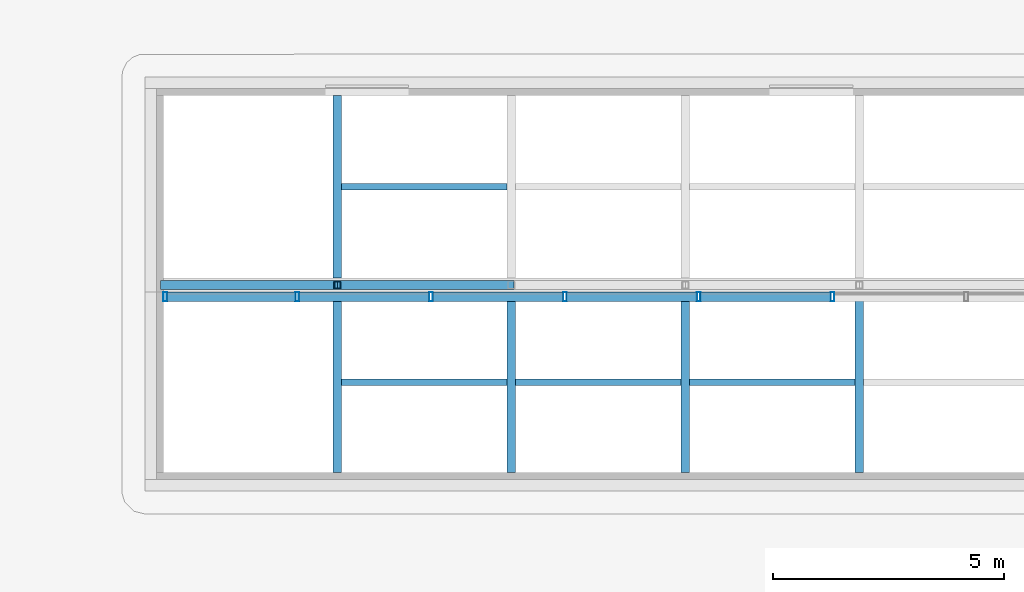
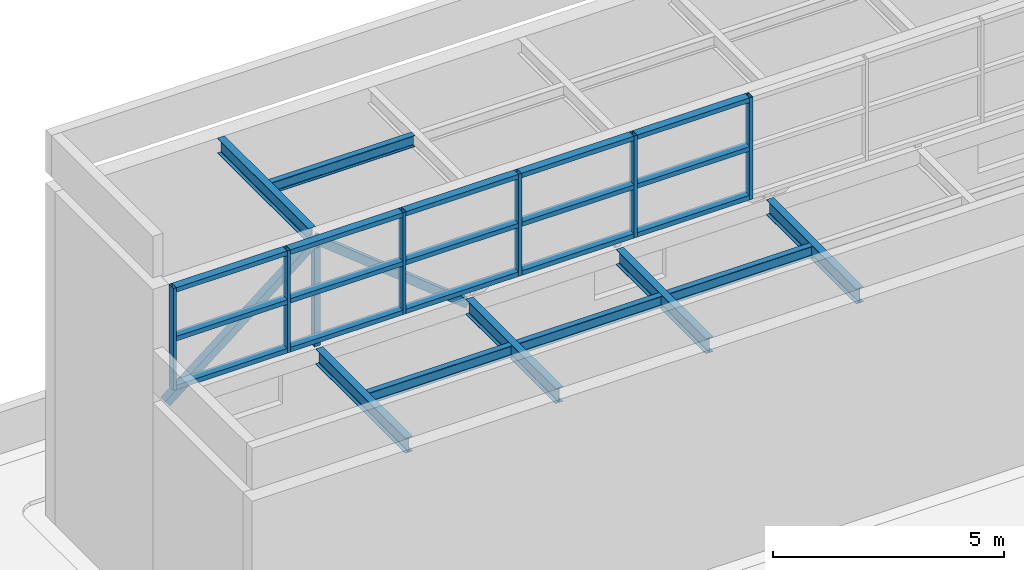
# One storey, part 50 of 72: 28 members, 5 beams, 1 element without a shape of its own.
"""IFC4 building model written with IfcOpenShell, lengths in metres."""

from ifc_helpers import new_model, si_unit, direction, frame, origin, origin_2d, place, context, subcontext, project, spatial, hollow_rectangle, i_section, extrude, material, layer, layer_set, material_profile, profile_set, type_object, element, aggregate, save


model = new_model("IFC4")

# Units and contexts
model_context = context("Model", 3, precision=1e-05, world=origin(), true_north=direction((0.0, 1.0)))
body_context = subcontext(model_context, "Body", "Model", "MODEL_VIEW")
ifc_project = project(units=[si_unit("LENGTHUNIT", "METRE"), si_unit("AREAUNIT", "SQUARE_METRE"), si_unit("VOLUMEUNIT", "CUBIC_METRE"), si_unit("PLANEANGLEUNIT", "RADIAN"), si_unit("MASSUNIT", "GRAM", prefix="KILO")], contexts=[model_context])

# Site, building, storey
site_placement = place(None, origin())
site = spatial("IfcSite", under=ifc_project, at=site_placement, CompositionType="ELEMENT")
building_placement = place(site_placement, origin())
building = spatial("IfcBuilding", under=site, at=building_placement, Name="Nzadi Deep Aquarium and Research Tower", CompositionType="ELEMENT")
storey_placement = place(building_placement, frame((0.0, 0.0, 31.89990234375)))
storey = spatial("IfcBuildingStorey", under=building, at=storey_placement, Name="L05", CompositionType="ELEMENT", Elevation=31.89990234375)

# Members
ifc_material_1 = material(Name="Steel S355", Category="steel")
ifc_material_profile_1 = material_profile(ifc_material_1, i_section(OverallWidth=0.14990234375, OverallDepth=0.300048828125, WebThickness=0.007080078125, FlangeThickness=0.0107421875, FilletRadius=0.014892578125, at=origin_2d()))
ifc_profile_set_1 = profile_set([ifc_material_profile_1], Name="Steel S355")
member_type_1 = type_object("IfcMemberType", Name="IPE 300", PredefinedType="PURLIN", material=ifc_profile_set_1)
for number, where, z_axis, x_axis, name in (
    (1, (13.85009765625, 133.949951171875, 5.650146484375), (1.0, 0.0, 0.0), (0.0, 1.0, 0.0), "MB-HL-ROOF-SPU-1"),
    (2, (17.610107421875, 133.949951171875, 5.650146484375), (1.0, 0.0, 0.0), (0.0, 1.0, 0.0), "MB-HL-ROOF-SPU-2"),
    (3, (21.3701171875, 133.949951171875, 5.650146484375), (1.0, 0.0, 0.0), (0.0, 1.0, 0.0), "MB-HL-ROOF-SPU-3"),
    (4, (13.85009765625, 138.175048828125, 8.650146484375), (1.0, 0.0, 0.0), (0.0, 1.0, 0.0), "MB-HL-ROOF-NPU-1"),
):
    element("IfcMember", number, at=place(storey_placement, frame(where, z_axis=z_axis, x_axis=x_axis)), inside=storey, type_object=member_type_1, Name=name, PredefinedType="PURLIN", context=body_context, shape_type="SweptSolid", body=[
        extrude(i_section(OverallWidth=0.14990234375, OverallDepth=0.300048828125, WebThickness=0.007080078125, FlangeThickness=0.0107421875, FilletRadius=0.014892578125, at=origin_2d()), origin(), (0.0, 0.0, 1.0), 3.579833984375),
    ])

# Beams
ifc_material_2 = material(Name="Steel S355", Category="steel")
ifc_material_profile_2 = material_profile(ifc_material_2, i_section(OverallWidth=0.179931640625, OverallDepth=0.39990234375, WebThickness=0.008544921875, FlangeThickness=0.013427734375, FilletRadius=0.02099609375, at=origin_2d()))
ifc_profile_set_2 = profile_set([ifc_material_profile_2], Name="Steel S355")
beam_type = type_object("IfcBeamType", Name="IPE 400", PredefinedType="BEAM", material=ifc_profile_set_2)
beam_1_placement = place(storey_placement, frame((13.760009765625, 132.0, 5.60009765625), z_axis=(0.0, 1.0, 0.0), x_axis=(-1.0, 0.0, 0.0)))
element("IfcBeam", 5, at=beam_1_placement, inside=storey, type_object=beam_type, Name="B-HL-ROOF-G1", PredefinedType="BEAM", context=body_context, shape_type="SweptSolid", body=[
    extrude(i_section(OverallWidth=0.179931640625, OverallDepth=0.39990234375, WebThickness=0.008544921875, FlangeThickness=0.013427734375, FilletRadius=0.02099609375, at=origin_2d()), origin(), (0.0, 0.0, 1.0), 3.89990234375),
])
beam_2_placement = place(storey_placement, frame((13.760009765625, 136.199951171875, 8.60009765625), z_axis=(0.0, 1.0, 0.0), x_axis=(-1.0, 0.0, 0.0)))
element("IfcBeam", 6, at=beam_2_placement, inside=storey, type_object=beam_type, Name="B-HL-ROOF-H1", PredefinedType="BEAM", context=body_context, shape_type="SweptSolid", body=[
    extrude(i_section(OverallWidth=0.179931640625, OverallDepth=0.39990234375, WebThickness=0.008544921875, FlangeThickness=0.013427734375, FilletRadius=0.02099609375, at=origin_2d()), origin(), (0.0, 0.0, 1.0), 3.949951171875),
])
for number, where, z_axis, x_axis, name in (
    (7, (17.52001953125, 132.0, 5.60009765625), (0.0, 1.0, 0.0), (-1.0, 0.0, 0.0), "B-HL-ROOF-G2"),
    (8, (21.280029296875, 132.0, 5.60009765625), (0.0, 1.0, 0.0), (-1.0, 0.0, 0.0), "B-HL-ROOF-G3"),
    (9, (25.0400390625, 132.0, 5.60009765625), (0.0, 1.0, 0.0), (-1.0, 0.0, 0.0), "B-HL-ROOF-G4"),
):
    element("IfcBeam", number, at=place(storey_placement, frame(where, z_axis=z_axis, x_axis=x_axis)), inside=storey, type_object=beam_type, Name=name, PredefinedType="BEAM", context=body_context, shape_type="SweptSolid", body=[
        extrude(i_section(OverallWidth=0.179931640625, OverallDepth=0.39990234375, WebThickness=0.008544921875, FlangeThickness=0.013427734375, FilletRadius=0.02099609375, at=origin_2d()), origin(), (0.0, 0.0, 1.0), 3.89990234375),
    ])

# Curtain wall, members
ifc_material_3 = material(Name="Aluminium glazing frame tall", Category="aluminium")
ifc_layer = layer(ifc_material_3, 0.199951171875)
ifc_layer_set = layer_set([ifc_layer], Name="Aluminium glazing frame tall")
curtain_wall_type = type_object("IfcCurtainWallType", Name="Curtain wall Clerestory Tall 200", PredefinedType="NOTDEFINED", material=ifc_layer_set)
curtain_wall_placement = place(storey_placement, origin())
curtain_wall = element("IfcCurtainWall", 10, at=curtain_wall_placement, inside=storey, type_object=curtain_wall_type, Name="Events hall clerestory glazing", PredefinedType="NOTDEFINED")
ifc_material_4 = material(Name="Aluminium glazing frame tall", Category="aluminium")
ifc_material_profile_3 = material_profile(ifc_material_4, hollow_rectangle(XDim=0.199951171875, YDim=0.080078125, WallThickness=0.0048828125, at=origin_2d()))
ifc_profile_set_3 = profile_set([ifc_material_profile_3], Name="Aluminium glazing frame tall")
member_type_2 = type_object("IfcMemberType", Name="Mullion 80x200 Clerestory Tall", PredefinedType="MULLION", material=ifc_profile_set_3)
member_1_placement = place(storey_placement, frame((10.0400390625, 135.800048828125, 6.10009765625), z_axis=(0.0, 0.0, 1.0), x_axis=(0.0, 1.0, 0.0)))
member_1 = element("IfcMember", 11, at=member_1_placement, type_object=member_type_2, Name="CW259 mullion 1", PredefinedType="MULLION", context=body_context, shape_type="SweptSolid", body=[
    extrude(hollow_rectangle(XDim=0.199951171875, YDim=0.080078125, WallThickness=0.0048828125, at=origin_2d()), origin(), (0.0, 0.0, 1.0), 2.699951171875),
])
member_2_placement = place(storey_placement, frame((12.892333984375, 135.800048828125, 6.10009765625), z_axis=(0.0, 0.0, 1.0), x_axis=(0.0, 1.0, 0.0)))
member_2 = element("IfcMember", 12, at=member_2_placement, type_object=member_type_2, Name="CW259 mullion 2", PredefinedType="MULLION", context=body_context, shape_type="SweptSolid", body=[
    extrude(hollow_rectangle(XDim=0.199951171875, YDim=0.080078125, WallThickness=0.0048828125, at=origin_2d()), origin(), (0.0, 0.0, 1.0), 2.699951171875),
])
member_3_placement = place(storey_placement, frame((15.78466796875, 135.800048828125, 6.10009765625), z_axis=(0.0, 0.0, 1.0), x_axis=(0.0, 1.0, 0.0)))
member_3 = element("IfcMember", 13, at=member_3_placement, type_object=member_type_2, Name="CW259 mullion 3", PredefinedType="MULLION", context=body_context, shape_type="SweptSolid", body=[
    extrude(hollow_rectangle(XDim=0.199951171875, YDim=0.080078125, WallThickness=0.0048828125, at=origin_2d()), origin(), (0.0, 0.0, 1.0), 2.699951171875),
])
member_4_placement = place(storey_placement, frame((18.677001953125, 135.800048828125, 6.10009765625), z_axis=(0.0, 0.0, 1.0), x_axis=(0.0, 1.0, 0.0)))
member_4 = element("IfcMember", 14, at=member_4_placement, type_object=member_type_2, Name="CW259 mullion 4", PredefinedType="MULLION", context=body_context, shape_type="SweptSolid", body=[
    extrude(hollow_rectangle(XDim=0.199951171875, YDim=0.080078125, WallThickness=0.0048828125, at=origin_2d()), origin(), (0.0, 0.0, 1.0), 2.699951171875),
])
member_5_placement = place(storey_placement, frame((21.5693359375, 135.800048828125, 6.10009765625), z_axis=(0.0, 0.0, 1.0), x_axis=(0.0, 1.0, 0.0)))
member_5 = element("IfcMember", 15, at=member_5_placement, type_object=member_type_2, Name="CW259 mullion 5", PredefinedType="MULLION", context=body_context, shape_type="SweptSolid", body=[
    extrude(hollow_rectangle(XDim=0.199951171875, YDim=0.080078125, WallThickness=0.0048828125, at=origin_2d()), origin(), (0.0, 0.0, 1.0), 2.699951171875),
])
member_6_placement = place(storey_placement, frame((24.46142578125, 135.800048828125, 6.10009765625), z_axis=(0.0, 0.0, 1.0), x_axis=(0.0, 1.0, 0.0)))
member_6 = element("IfcMember", 16, at=member_6_placement, type_object=member_type_2, Name="CW259 mullion 6", PredefinedType="MULLION", context=body_context, shape_type="SweptSolid", body=[
    extrude(hollow_rectangle(XDim=0.199951171875, YDim=0.080078125, WallThickness=0.0048828125, at=origin_2d()), origin(), (0.0, 0.0, 1.0), 2.699951171875),
])

# Members
ifc_material_5 = material(Name="Steel S355", Category="steel")
ifc_material_profile_4 = material_profile(ifc_material_5, hollow_rectangle(XDim=0.14990234375, YDim=0.14990234375, WallThickness=0.008056640625, at=origin_2d()))
ifc_profile_set_4 = profile_set([ifc_material_profile_4], Name="Steel S355")
member_type_3 = type_object("IfcMemberType", Name="RHS 150x150x8 post", PredefinedType="POST", material=ifc_profile_set_4)
member_7_placement = place(storey_placement, frame((13.760009765625, 136.050048828125, 5.800048828125), z_axis=(0.0, 0.0, 1.0), x_axis=(1.0, 0.0, 0.0)))
element("IfcMember", 17, at=member_7_placement, inside=storey, type_object=member_type_3, Name="MB-HL-STEP-V1", PredefinedType="POST", context=body_context, shape_type="SweptSolid", body=[
    extrude(hollow_rectangle(XDim=0.14990234375, YDim=0.14990234375, WallThickness=0.008056640625, at=origin_2d()), origin(), (0.0, 0.0, 1.0), 2.60009765625),
])
ifc_material_6 = material(Name="Steel S355", Category="steel")
ifc_material_profile_5 = material_profile(ifc_material_6, hollow_rectangle(XDim=0.199951171875, YDim=0.199951171875, WallThickness=0.011962890625, at=origin_2d()))
ifc_profile_set_5 = profile_set([ifc_material_profile_5], Name="Steel S355")
member_type_4 = type_object("IfcMemberType", Name="RHS 200x200x12 brace", PredefinedType="BRACE", material=ifc_profile_set_5)
for number, where, z_axis, x_axis, name in (
    (18, (10.0, 136.050048828125, 5.60009765625), (0.781680232216, 0.0, 0.623679416497), (0.0, 1.0, 0.0), "MB-HL-STEP-D1"),
    (19, (13.760009765625, 136.050048828125, 8.60009765625), (0.781680232216, 0.0, -0.623679416497), (0.0, 1.0, 0.0), "MB-HL-STEP-D2"),
):
    element("IfcMember", number, at=place(storey_placement, frame(where, z_axis=z_axis, x_axis=x_axis)), inside=storey, type_object=member_type_4, Name=name, PredefinedType="BRACE", context=body_context, shape_type="SweptSolid", body=[
        extrude(hollow_rectangle(XDim=0.199951171875, YDim=0.199951171875, WallThickness=0.011962890625, at=origin_2d()), origin(), (0.0, 0.0, 1.0), 4.81005859375),
    ])

# Member
ifc_material_7 = material(Name="Aluminium glazing frame tall", Category="aluminium")
ifc_material_profile_6 = material_profile(ifc_material_7, hollow_rectangle(XDim=0.199951171875, YDim=0.1201171875, WallThickness=0.0048828125, at=origin_2d()))
ifc_profile_set_6 = profile_set([ifc_material_profile_6], Name="Aluminium glazing frame tall")
member_type_5 = type_object("IfcMemberType", Name="Transom 120x200 Clerestory Tall", PredefinedType="MULLION", material=ifc_profile_set_6)
member_8_placement = place(storey_placement, frame((10.080078125, 135.800048828125, 6.16015625), z_axis=(1.0, 0.0, 0.0), x_axis=(0.0, 1.0, 0.0)))
member_8 = element("IfcMember", 20, at=member_8_placement, type_object=member_type_5, Name="CW259 transom 1.1", PredefinedType="MULLION", context=body_context, shape_type="SweptSolid", body=[
    extrude(hollow_rectangle(XDim=0.199951171875, YDim=0.1201171875, WallThickness=0.0048828125, at=origin_2d()), origin(), (0.0, 0.0, 1.0), 2.772216796875),
])

member_9_placement = place(storey_placement, frame((10.080078125, 135.800048828125, 7.4501953125), z_axis=(1.0, 0.0, 0.0), x_axis=(0.0, 1.0, 0.0)))
member_9 = element("IfcMember", 21, at=member_9_placement, type_object=member_type_5, Name="CW259 transom 1.2", PredefinedType="MULLION", context=body_context, shape_type="SweptSolid", body=[
    extrude(hollow_rectangle(XDim=0.199951171875, YDim=0.1201171875, WallThickness=0.0048828125, at=origin_2d()), origin(), (0.0, 0.0, 1.0), 2.772216796875),
])

member_10_placement = place(storey_placement, frame((10.080078125, 135.800048828125, 8.739990234375), z_axis=(1.0, 0.0, 0.0), x_axis=(0.0, 1.0, 0.0)))
member_10 = element("IfcMember", 22, at=member_10_placement, type_object=member_type_5, Name="CW259 transom 1.3", PredefinedType="MULLION", context=body_context, shape_type="SweptSolid", body=[
    extrude(hollow_rectangle(XDim=0.199951171875, YDim=0.1201171875, WallThickness=0.0048828125, at=origin_2d()), origin(), (0.0, 0.0, 1.0), 2.772216796875),
])

member_11_placement = place(storey_placement, frame((12.932373046875, 135.800048828125, 6.16015625), z_axis=(1.0, 0.0, 0.0), x_axis=(0.0, 1.0, 0.0)))
member_11 = element("IfcMember", 23, at=member_11_placement, type_object=member_type_5, Name="CW259 transom 2.1", PredefinedType="MULLION", context=body_context, shape_type="SweptSolid", body=[
    extrude(hollow_rectangle(XDim=0.199951171875, YDim=0.1201171875, WallThickness=0.0048828125, at=origin_2d()), origin(), (0.0, 0.0, 1.0), 2.812255859375),
])

member_12_placement = place(storey_placement, frame((12.932373046875, 135.800048828125, 7.4501953125), z_axis=(1.0, 0.0, 0.0), x_axis=(0.0, 1.0, 0.0)))
member_12 = element("IfcMember", 24, at=member_12_placement, type_object=member_type_5, Name="CW259 transom 2.2", PredefinedType="MULLION", context=body_context, shape_type="SweptSolid", body=[
    extrude(hollow_rectangle(XDim=0.199951171875, YDim=0.1201171875, WallThickness=0.0048828125, at=origin_2d()), origin(), (0.0, 0.0, 1.0), 2.812255859375),
])

member_13_placement = place(storey_placement, frame((12.932373046875, 135.800048828125, 8.739990234375), z_axis=(1.0, 0.0, 0.0), x_axis=(0.0, 1.0, 0.0)))
member_13 = element("IfcMember", 25, at=member_13_placement, type_object=member_type_5, Name="CW259 transom 2.3", PredefinedType="MULLION", context=body_context, shape_type="SweptSolid", body=[
    extrude(hollow_rectangle(XDim=0.199951171875, YDim=0.1201171875, WallThickness=0.0048828125, at=origin_2d()), origin(), (0.0, 0.0, 1.0), 2.812255859375),
])

member_14_placement = place(storey_placement, frame((15.82470703125, 135.800048828125, 6.16015625), z_axis=(1.0, 0.0, 0.0), x_axis=(0.0, 1.0, 0.0)))
member_14 = element("IfcMember", 26, at=member_14_placement, type_object=member_type_5, Name="CW259 transom 3.1", PredefinedType="MULLION", context=body_context, shape_type="SweptSolid", body=[
    extrude(hollow_rectangle(XDim=0.199951171875, YDim=0.1201171875, WallThickness=0.0048828125, at=origin_2d()), origin(), (0.0, 0.0, 1.0), 2.812255859375),
])

member_15_placement = place(storey_placement, frame((15.82470703125, 135.800048828125, 7.4501953125), z_axis=(1.0, 0.0, 0.0), x_axis=(0.0, 1.0, 0.0)))
member_15 = element("IfcMember", 27, at=member_15_placement, type_object=member_type_5, Name="CW259 transom 3.2", PredefinedType="MULLION", context=body_context, shape_type="SweptSolid", body=[
    extrude(hollow_rectangle(XDim=0.199951171875, YDim=0.1201171875, WallThickness=0.0048828125, at=origin_2d()), origin(), (0.0, 0.0, 1.0), 2.812255859375),
])

member_16_placement = place(storey_placement, frame((15.82470703125, 135.800048828125, 8.739990234375), z_axis=(1.0, 0.0, 0.0), x_axis=(0.0, 1.0, 0.0)))
member_16 = element("IfcMember", 28, at=member_16_placement, type_object=member_type_5, Name="CW259 transom 3.3", PredefinedType="MULLION", context=body_context, shape_type="SweptSolid", body=[
    extrude(hollow_rectangle(XDim=0.199951171875, YDim=0.1201171875, WallThickness=0.0048828125, at=origin_2d()), origin(), (0.0, 0.0, 1.0), 2.812255859375),
])

member_17_placement = place(storey_placement, frame((18.717041015625, 135.800048828125, 6.16015625), z_axis=(1.0, 0.0, 0.0), x_axis=(0.0, 1.0, 0.0)))
member_17 = element("IfcMember", 29, at=member_17_placement, type_object=member_type_5, Name="CW259 transom 4.1", PredefinedType="MULLION", context=body_context, shape_type="SweptSolid", body=[
    extrude(hollow_rectangle(XDim=0.199951171875, YDim=0.1201171875, WallThickness=0.0048828125, at=origin_2d()), origin(), (0.0, 0.0, 1.0), 2.812255859375),
])

member_18_placement = place(storey_placement, frame((18.717041015625, 135.800048828125, 7.4501953125), z_axis=(1.0, 0.0, 0.0), x_axis=(0.0, 1.0, 0.0)))
member_18 = element("IfcMember", 30, at=member_18_placement, type_object=member_type_5, Name="CW259 transom 4.2", PredefinedType="MULLION", context=body_context, shape_type="SweptSolid", body=[
    extrude(hollow_rectangle(XDim=0.199951171875, YDim=0.1201171875, WallThickness=0.0048828125, at=origin_2d()), origin(), (0.0, 0.0, 1.0), 2.812255859375),
])

member_19_placement = place(storey_placement, frame((18.717041015625, 135.800048828125, 8.739990234375), z_axis=(1.0, 0.0, 0.0), x_axis=(0.0, 1.0, 0.0)))
member_19 = element("IfcMember", 31, at=member_19_placement, type_object=member_type_5, Name="CW259 transom 4.3", PredefinedType="MULLION", context=body_context, shape_type="SweptSolid", body=[
    extrude(hollow_rectangle(XDim=0.199951171875, YDim=0.1201171875, WallThickness=0.0048828125, at=origin_2d()), origin(), (0.0, 0.0, 1.0), 2.812255859375),
])

member_20_placement = place(storey_placement, frame((21.609130859375, 135.800048828125, 6.16015625), z_axis=(1.0, 0.0, 0.0), x_axis=(0.0, 1.0, 0.0)))
member_20 = element("IfcMember", 32, at=member_20_placement, type_object=member_type_5, Name="CW259 transom 5.1", PredefinedType="MULLION", context=body_context, shape_type="SweptSolid", body=[
    extrude(hollow_rectangle(XDim=0.199951171875, YDim=0.1201171875, WallThickness=0.0048828125, at=origin_2d()), origin(), (0.0, 0.0, 1.0), 2.8125),
])

member_21_placement = place(storey_placement, frame((21.609130859375, 135.800048828125, 7.4501953125), z_axis=(1.0, 0.0, 0.0), x_axis=(0.0, 1.0, 0.0)))
member_21 = element("IfcMember", 33, at=member_21_placement, type_object=member_type_5, Name="CW259 transom 5.2", PredefinedType="MULLION", context=body_context, shape_type="SweptSolid", body=[
    extrude(hollow_rectangle(XDim=0.199951171875, YDim=0.1201171875, WallThickness=0.0048828125, at=origin_2d()), origin(), (0.0, 0.0, 1.0), 2.8125),
])

member_22_placement = place(storey_placement, frame((21.609130859375, 135.800048828125, 8.739990234375), z_axis=(1.0, 0.0, 0.0), x_axis=(0.0, 1.0, 0.0)))
member_22 = element("IfcMember", 34, at=member_22_placement, type_object=member_type_5, Name="CW259 transom 5.3", PredefinedType="MULLION", context=body_context, shape_type="SweptSolid", body=[
    extrude(hollow_rectangle(XDim=0.199951171875, YDim=0.1201171875, WallThickness=0.0048828125, at=origin_2d()), origin(), (0.0, 0.0, 1.0), 2.8125),
])

aggregate(curtain_wall, [member_1, member_2, member_3, member_4, member_5, member_6, member_8, member_9, member_10, member_11, member_12, member_13, member_14, member_15, member_16, member_17, member_18, member_19, member_20, member_21, member_22])

save(model, "model.ifc")
